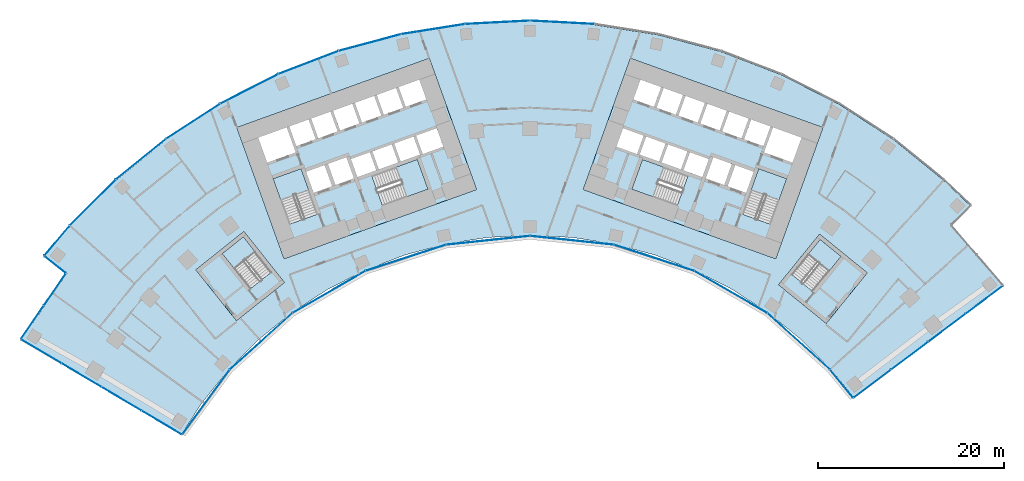
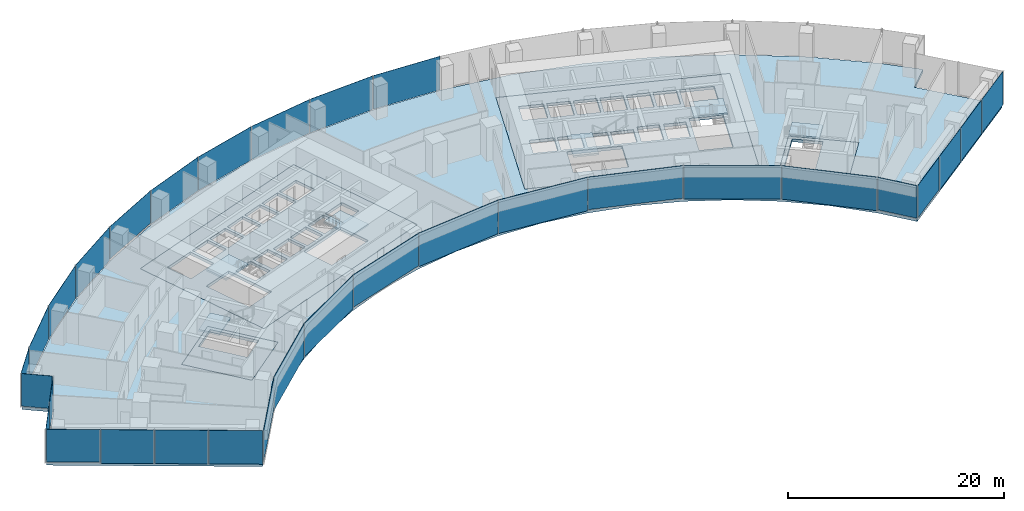
# One storey, part 12 of 21: 31 plates, 11 slabs, 12 elements without a shape of their own.
"""IFC4 building model written with IfcOpenShell, lengths in metres."""

import ifcopenshell
import ifcopenshell.guid

model = None  # the IFC model being written
_history = None  # IfcOwnerHistory: only IFC2X3 demands one
_inside = {}  # id of a spatial element -> (the spatial element, [elements in it])
_under = {}  # id of a project, library or spatial element -> (it, [spatial elements below it])
_declared = {}  # id of a project -> (the project, [libraries it declares])
_typed = {}  # id of a type object -> (the type object, [elements of that type])
_made_of = {}  # id of a material, layer set ... -> (it, [elements and type objects made of it])


def new_model(schema):
    """Start an empty IFC model of exactly this schema.

    Asked for "IFC4X3", IfcOpenShell would pick the latest addendum, in which some entities
    have other attributes; the version numbers below select the first issue.
    IFC2X3 requires an IfcOwnerHistory on every rooted entity: one is made here for all.
    """
    global model, _history
    if schema == "IFC4X3":
        model = ifcopenshell.file(schema_version=(4, 3, 0, 0))
    else:
        model = ifcopenshell.file(schema=schema)
    _inside.clear()
    _under.clear()
    _declared.clear()
    _typed.clear()
    _made_of.clear()
    _history = None
    if model.schema == "IFC2X3":
        org = make("IfcOrganization", Name="unknown")
        user = make(
            "IfcPersonAndOrganization",
            ThePerson=make("IfcPerson", FamilyName="unknown"),
            TheOrganization=org,
        )
        app = make(
            "IfcApplication",
            ApplicationDeveloper=org,
            Version="unknown",
            ApplicationFullName="unknown",
            ApplicationIdentifier="unknown",
        )
        _history = make(
            "IfcOwnerHistory",
            OwningUser=user,
            OwningApplication=app,
            ChangeAction="ADDED",
            CreationDate=0,
        )
    return model


def make(cls, **values):
    """One entity of the class cls with the attributes given. An attribute that is None is left unset."""
    return model.create_entity(
        cls, **{name: value for name, value in values.items() if value is not None}
    )


def rooted(cls, **values):
    """An entity with a GlobalId (a new one), such as an element, a storey or a relation."""
    return make(cls, GlobalId=ifcopenshell.guid.new(), OwnerHistory=_history, **values)


def si_unit(unit_type, name, prefix=None):
    """IfcSIUnit, for example si_unit("LENGTHUNIT", "METRE", prefix="MILLI")."""
    return make("IfcSIUnit", UnitType=unit_type, Prefix=prefix, Name=name)


def assignment(units):
    """IfcUnitAssignment: the units of a project."""
    return None if units is None else make("IfcUnitAssignment", Units=units)


def point(xyz):
    """IfcCartesianPoint."""
    return None if xyz is None else make("IfcCartesianPoint", Coordinates=xyz)


def direction(xyz):
    """IfcDirection."""
    return None if xyz is None else make("IfcDirection", DirectionRatios=xyz)


def frame(location, z_axis=None, x_axis=None):
    """IfcAxis2Placement3D, a coordinate frame: its origin and axes. An axis left out is left unset."""
    return make(
        "IfcAxis2Placement3D",
        Location=point(location),
        Axis=direction(z_axis),
        RefDirection=direction(x_axis),
    )


def frame_2d(location, x_axis=None):
    """IfcAxis2Placement2D, a coordinate frame in the plane: its origin and x axis."""
    return make(
        "IfcAxis2Placement2D", Location=point(location), RefDirection=direction(x_axis)
    )


def origin():
    """The frame at (0, 0, 0) with its axes left unset."""
    return frame((0.0, 0.0, 0.0))


def origin_2d():
    """The frame at (0, 0) in the plane with its x axis left unset."""
    return frame_2d((0.0, 0.0))


def place(relative_to, where):
    """IfcLocalPlacement: puts the frame where relative to a parent placement (None: the world)."""
    return make(
        "IfcLocalPlacement", PlacementRelTo=relative_to, RelativePlacement=where
    )


def context(
    kind, dimensions, precision=None, world=None, true_north=None, identifier=None
):
    """IfcGeometricRepresentationContext, for example the 3D "Model" context."""
    return make(
        "IfcGeometricRepresentationContext",
        ContextIdentifier=identifier,
        ContextType=kind,
        CoordinateSpaceDimension=dimensions,
        Precision=precision,
        WorldCoordinateSystem=world,
        TrueNorth=true_north,
    )


def subcontext(parent, identifier, kind, view, scale=None):
    """IfcGeometricRepresentationSubContext, for example "Body" below "Model"."""
    return make(
        "IfcGeometricRepresentationSubContext",
        ContextIdentifier=identifier,
        ContextType=kind,
        ParentContext=parent,
        TargetScale=scale,
        TargetView=view,
    )


def project(units=None, contexts=None):
    """IfcProject with its units and contexts."""
    return rooted(
        "IfcProject",
        Name="project",
        RepresentationContexts=contexts,
        UnitsInContext=assignment(units),
    )


def spatial(cls, under=None, at=None, **own):
    """A site, building, storey or space (cls), placed at a placement, below another one or the project."""
    s = rooted(cls, ObjectPlacement=at, **own)
    if under is not None:
        _under.setdefault(under.id(), (under, []))[1].append(s)
    return s


def polyline(points):
    """IfcPolyline through the points."""
    return make("IfcPolyline", Points=[point(p) for p in points])


def profile(cls, at=None, kind="AREA", **sizes):
    """A parametric profile (cls). Its sizes go by their IFC names, for example OverallWidth=200.0."""
    return make(cls, ProfileType=kind, Position=at, **sizes)


def rectangle(**sizes):
    """IfcRectangleProfileDef."""
    return profile("IfcRectangleProfileDef", **sizes)


def outline(outer, holes=None, kind="AREA"):
    """IfcArbitraryClosedProfileDef: a profile drawn as a closed curve; with holes, ...WithVoids."""
    if holes is None:
        return make("IfcArbitraryClosedProfileDef", ProfileType=kind, OuterCurve=outer)
    return make(
        "IfcArbitraryProfileDefWithVoids",
        ProfileType=kind,
        OuterCurve=outer,
        InnerCurves=holes,
    )


def extrude(swept, where, along, depth):
    """IfcExtrudedAreaSolid: the profile swept, set in the frame where, extruded along a direction by depth."""
    return make(
        "IfcExtrudedAreaSolid",
        SweptArea=swept,
        Position=where,
        ExtrudedDirection=direction(along),
        Depth=depth,
    )


def shape(context_of_items, identifier, shape_type, items):
    """IfcShapeRepresentation: the items that make up one representation, for example the "Body"."""
    return make(
        "IfcShapeRepresentation",
        ContextOfItems=context_of_items,
        RepresentationIdentifier=identifier,
        RepresentationType=shape_type,
        Items=items,
    )


def material(Name=None, Category=None):
    """IfcMaterial."""
    return make("IfcMaterial", Name=Name, Category=Category)


def layer(
    of_material, thickness, ventilated=None, Name=None, Category=None, Priority=None
):
    """IfcMaterialLayer: one layer of a wall or slab, of a material (None: an air gap)."""
    return make(
        "IfcMaterialLayer",
        Material=of_material,
        LayerThickness=thickness,
        IsVentilated=ventilated,
        Name=Name,
        Category=Category,
        Priority=Priority,
    )


def layer_set(layers, Name=None):
    """IfcMaterialLayerSet."""
    return make("IfcMaterialLayerSet", MaterialLayers=layers, LayerSetName=Name)


def made_of(thing, what):
    """Note that an element or type object is made of a material, layer set ...; save() writes the relation."""
    if what is not None:
        _made_of.setdefault(what.id(), (what, []))[1].append(thing)
    return thing


def type_object(cls, material=None, **own):
    """A type object (cls), such as IfcWallType, which elements share."""
    return made_of(rooted(cls, **own), material)


def element(
    cls,
    number,
    at=None,
    inside=None,
    cuts=None,
    type_object=None,
    material=None,
    context=None,
    identifier="Body",
    shape_type=None,
    held_by="IfcProductDefinitionShape",
    body=None,
    shapes=None,
    **own,
):
    """One element of the class cls, such as IfcWall. Its Tag is "e" and its number.

    at: its placement. inside: the storey or other place that contains it. cuts: it is an
    opening in that element (IfcRelVoidsElement). A single representation is given by context,
    identifier, shape_type and body (its items); several are given by shapes. held_by: the class
    of the entity that holds the representations. save() writes the other relations.
    """
    e = rooted(cls, Tag="e%d" % number, ObjectPlacement=at, **own)
    if body is not None:
        shapes = [shape(context, identifier, shape_type, body)]
    if shapes is not None:
        e.Representation = make(held_by, Representations=shapes)
    if inside is not None:
        _inside.setdefault(inside.id(), (inside, []))[1].append(e)
    if cuts is not None:
        rooted(
            "IfcRelVoidsElement", RelatingBuildingElement=cuts, RelatedOpeningElement=e
        )
    if type_object is not None:
        _typed.setdefault(type_object.id(), (type_object, []))[1].append(e)
    return made_of(e, material)


def aggregate(whole, parts):
    """IfcRelAggregates: a whole, such as a stair, and the parts it consists of."""
    return rooted("IfcRelAggregates", RelatingObject=whole, RelatedObjects=parts)


def save(model, path):
    """Write the relations noted so far, then the file.

    IfcRelAggregates (storeys below a building ...), IfcRelContainedInSpatialStructure (elements
    in a storey), IfcRelDefinesByType, IfcRelAssociatesMaterial and IfcRelDeclares: one each for
    every whole, place, type object, material and project.
    """
    for whole, parts in _under.values():
        aggregate(whole, parts)
    for where, things in _inside.values():
        rooted(
            "IfcRelContainedInSpatialStructure",
            RelatedElements=things,
            RelatingStructure=where,
        )
    for kind, things in _typed.values():
        rooted("IfcRelDefinesByType", RelatedObjects=things, RelatingType=kind)
    for what, things in _made_of.values():
        rooted("IfcRelAssociatesMaterial", RelatedObjects=things, RelatingMaterial=what)
    for by, libraries in _declared.values():
        rooted("IfcRelDeclares", RelatingContext=by, RelatedDefinitions=libraries)
    model.write(path)


model = new_model("IFC4")

# Units and contexts
model_context = context("Model", 3, precision=1e-05, world=origin(), true_north=direction((0.0, 1.0)))
body_context = subcontext(model_context, "Body", "Model", "MODEL_VIEW")
ifc_project = project(units=[si_unit("LENGTHUNIT", "METRE"), si_unit("AREAUNIT", "SQUARE_METRE"), si_unit("VOLUMEUNIT", "CUBIC_METRE"), si_unit("PLANEANGLEUNIT", "RADIAN"), si_unit("MASSUNIT", "GRAM", prefix="KILO")], contexts=[model_context])

# Site, building, storey
site_placement = place(None, origin())
site = spatial("IfcSite", under=ifc_project, at=site_placement, CompositionType="ELEMENT")
building_placement = place(site_placement, origin())
building = spatial("IfcBuilding", under=site, at=building_placement, Name="Stone Belt Terrace Tower", CompositionType="ELEMENT")
storey_placement = place(building_placement, frame((0.0, 0.0, 71.800048828125)))
storey = spatial("IfcBuildingStorey", under=building, at=storey_placement, Name="L17", CompositionType="ELEMENT", Elevation=71.800048828125)

# Curtain wall, plates
ifc_material_1 = material(Name="Aluminium 6063-T6 anodised frame", Category="aluminium")
ifc_layer_1 = layer(ifc_material_1, 0.14990234375)
ifc_layer_set_1 = layer_set([ifc_layer_1], Name="CW-A unitised convex-face curtain wall")
curtain_wall_type_1 = type_object("IfcCurtainWallType", Name="CW-A unitised convex-face curtain wall", PredefinedType="NOTDEFINED", material=ifc_layer_set_1)
curtain_wall_1_placement = place(storey_placement, origin())
curtain_wall_1 = element("IfcCurtainWall", 1, at=curtain_wall_1_placement, inside=storey, type_object=curtain_wall_type_1, Name="CW-A convex face L17", PredefinedType="NOTDEFINED")
ifc_material_2 = material(Name="Clear double glazed unit")
ifc_layer_2 = layer(ifc_material_2, 0.031982421875)
ifc_layer_set_2 = layer_set([ifc_layer_2], Name="CW-A glass panel 32")
plate_type_1 = type_object("IfcPlateType", Name="CW-A glass panel 32", PredefinedType="CURTAIN_PANEL", material=ifc_layer_set_2)
plate_1_placement = place(storey_placement, frame((3.4794921875, 66.392822265625, 0.0), z_axis=(0.0, 0.0, 1.0), x_axis=(-0.998629534755, 0.052335956243, 0.0)))
plate_1 = element("IfcPlate", 2, at=plate_1_placement, type_object=plate_type_1, Name="CW-A panel 8.1", PredefinedType="CURTAIN_PANEL", context=body_context, shape_type="SweptSolid", body=[
    extrude(rectangle(XDim=6.90087890625, YDim=0.031982421875, at=origin_2d()), origin(), (0.0, 0.0, 1.0), 3.800048828125),
])
plate_2_placement = place(storey_placement, frame((-3.4794921875, 66.392822265625, 0.0), z_axis=(0.0, 0.0, 1.0), x_axis=(-0.998629534755, -0.052335956243, 0.0)))
plate_2 = element("IfcPlate", 3, at=plate_2_placement, type_object=plate_type_1, Name="CW-A panel 9.1", PredefinedType="CURTAIN_PANEL", context=body_context, shape_type="SweptSolid", body=[
    extrude(rectangle(XDim=6.90087890625, YDim=0.031982421875, at=origin_2d()), origin(), (0.0, 0.0, 1.0), 3.800048828125),
])
plate_3_placement = place(storey_placement, frame((-10.400390625, 65.665283203125, 0.0), z_axis=(0.0, 0.0, 1.0), x_axis=(-0.987688340595, -0.15643446504, 0.0)))
plate_3 = element("IfcPlate", 4, at=plate_3_placement, type_object=plate_type_1, Name="CW-A panel 10.1", PredefinedType="CURTAIN_PANEL", context=body_context, shape_type="SweptSolid", body=[
    extrude(rectangle(XDim=6.90087890625, YDim=0.031982421875, at=origin_2d()), origin(), (0.0, 0.0, 1.0), 3.800048828125),
])
plate_4_placement = place(storey_placement, frame((-17.207275390625, 64.218505859375, 0.0), z_axis=(0.0, 0.0, 1.0), x_axis=(-0.965925826289, -0.258819045103, 0.0)))
plate_4 = element("IfcPlate", 5, at=plate_4_placement, type_object=plate_type_1, Name="CW-A panel 11.1", PredefinedType="CURTAIN_PANEL", context=body_context, shape_type="SweptSolid", body=[
    extrude(rectangle(XDim=6.90087890625, YDim=0.031982421875, at=origin_2d()), origin(), (0.0, 0.0, 1.0), 3.800048828125),
])
plate_5_placement = place(storey_placement, frame((-23.82568359375, 62.068115234375, 0.0), z_axis=(0.0, 0.0, 1.0), x_axis=(-0.933580426497, -0.358367949545, 0.0)))
plate_5 = element("IfcPlate", 6, at=plate_5_placement, type_object=plate_type_1, Name="CW-A panel 12.1", PredefinedType="CURTAIN_PANEL", context=body_context, shape_type="SweptSolid", body=[
    extrude(rectangle(XDim=6.90087890625, YDim=0.031982421875, at=origin_2d()), origin(), (0.0, 0.0, 1.0), 3.800048828125),
])
plate_6_placement = place(storey_placement, frame((-30.18310546875, 59.237548828125, 0.14013671875), z_axis=(0.0, 0.0, 1.0), x_axis=(-0.891006524188, -0.45399049974, 0.0)))
plate_6 = element("IfcPlate", 7, at=plate_6_placement, type_object=plate_type_1, Name="CW-A panel 13.1", PredefinedType="CURTAIN_PANEL", context=body_context, shape_type="SweptSolid", body=[
    extrude(rectangle(XDim=6.90087890625, YDim=0.031982421875, at=origin_2d()), origin(), (0.0, 0.0, 1.0), 3.659912109375),
])
plate_7_placement = place(storey_placement, frame((-36.209716796875, 55.758056640625, 0.0), z_axis=(0.0, 0.0, 1.0), x_axis=(-0.838670567945, -0.544639035015, 0.0)))
plate_7 = element("IfcPlate", 8, at=plate_7_placement, type_object=plate_type_1, Name="CW-A panel 14.1", PredefinedType="CURTAIN_PANEL", context=body_context, shape_type="SweptSolid", body=[
    extrude(rectangle(XDim=6.90087890625, YDim=0.031982421875, at=origin_2d()), origin(), (0.0, 0.0, 1.0), 3.800048828125),
])
plate_8_placement = place(storey_placement, frame((-41.839599609375, 51.667724609375, 0.0), z_axis=(0.0, 0.0, 1.0), x_axis=(-0.777145961457, -0.62932039105, 0.0)))
plate_8 = element("IfcPlate", 9, at=plate_8_placement, type_object=plate_type_1, Name="CW-A panel 15.1", PredefinedType="CURTAIN_PANEL", context=body_context, shape_type="SweptSolid", body=[
    extrude(rectangle(XDim=6.90087890625, YDim=0.031982421875, at=origin_2d()), origin(), (0.0, 0.0, 1.0), 3.800048828125),
])
plate_9_placement = place(storey_placement, frame((-47.01123046875, 47.01123046875, 0.0), z_axis=(0.0, 0.0, 1.0), x_axis=(-0.707106781187, -0.707106781187, 0.0)))
plate_9 = element("IfcPlate", 10, at=plate_9_placement, type_object=plate_type_1, Name="CW-A panel 16.1", PredefinedType="CURTAIN_PANEL", context=body_context, shape_type="SweptSolid", body=[
    extrude(rectangle(XDim=6.90087890625, YDim=0.031982421875, at=origin_2d()), origin(), (0.0, 0.0, 1.0), 3.800048828125),
])
plate_10_placement = place(storey_placement, frame((-50.84423828125, 42.92626953125, 0.0), z_axis=(0.0, 0.0, 1.0), x_axis=(-0.645291395384, -0.763936525533, 0.0)))
plate_10 = element("IfcPlate", 11, at=plate_10_placement, type_object=plate_type_1, Name="CW-A panel 17.1", PredefinedType="CURTAIN_PANEL", context=body_context, shape_type="SweptSolid", body=[
    extrude(rectangle(XDim=4.17919921875, YDim=0.031982421875, at=origin_2d()), origin(), (0.0, 0.0, 1.0), 3.800048828125),
])
aggregate(curtain_wall_1, [plate_1, plate_2, plate_3, plate_4, plate_5, plate_6, plate_7, plate_8, plate_9, plate_10])

ifc_layer_3 = layer(ifc_material_1, 0.14990234375)
ifc_layer_set_3 = layer_set([ifc_layer_3], Name="CW-B unitised concave-face curtain wall")
curtain_wall_type_2 = type_object("IfcCurtainWallType", Name="CW-B unitised concave-face curtain wall", PredefinedType="NOTDEFINED", material=ifc_layer_set_3)
curtain_wall_2_placement = place(storey_placement, origin())
curtain_wall_2 = element("IfcCurtainWall", 12, at=curtain_wall_2_placement, inside=storey, type_object=curtain_wall_type_2, Name="CW-B concave face L17", PredefinedType="NOTDEFINED")
ifc_layer_4 = layer(ifc_material_2, 0.030029296875)
ifc_layer_set_4 = layer_set([ifc_layer_4], Name="CW-B glass panel 30")
plate_type_2 = type_object("IfcPlateType", Name="CW-B glass panel 30", PredefinedType="CURTAIN_PANEL", material=ifc_layer_set_4)
plate_11_placement = place(storey_placement, frame((-34.831787109375, 25.57177734375, 0.1201171875), z_axis=(0.0, 0.0, 1.0), x_axis=(0.592159017675, 0.805821132626, 0.0)))
plate_11 = element("IfcPlate", 13, at=plate_11_placement, type_object=plate_type_2, Name="CW-B panel 1.1", PredefinedType="CURTAIN_PANEL", context=body_context, shape_type="SweptSolid", body=[
    extrude(rectangle(XDim=8.583984375, YDim=0.030029296875, at=origin_2d()), origin(), (0.0, 0.0, 1.0), 3.679931640625),
])
plate_12_placement = place(storey_placement, frame((-28.897705078125, 32.09375, 0.0), z_axis=(0.0, 0.0, 1.0), x_axis=(0.743144825477, 0.669130606359, 0.0)))
plate_12 = element("IfcPlate", 14, at=plate_12_placement, type_object=plate_type_2, Name="CW-B panel 2.1", PredefinedType="CURTAIN_PANEL", context=body_context, shape_type="SweptSolid", body=[
    extrude(rectangle(XDim=9.01318359375, YDim=0.030029296875, at=origin_2d()), origin(), (0.0, 0.0, 1.0), 3.800048828125),
])
plate_13_placement = place(storey_placement, frame((-21.59326171875, 37.40087890625, 0.0), z_axis=(0.0, 0.0, 1.0), x_axis=(0.866025403784, 0.5, 0.0)))
plate_13 = element("IfcPlate", 15, at=plate_13_placement, type_object=plate_type_2, Name="CW-B panel 3.1", PredefinedType="CURTAIN_PANEL", context=body_context, shape_type="SweptSolid", body=[
    extrude(rectangle(XDim=9.0126953125, YDim=0.030029296875, at=origin_2d()), origin(), (0.0, 0.0, 1.0), 3.800048828125),
])
plate_14_placement = place(storey_placement, frame((-13.345458984375, 41.072998046875, 0.1201171875), z_axis=(0.0, 0.0, 1.0), x_axis=(0.951056516295, 0.309016994375, 0.0)))
plate_14 = element("IfcPlate", 16, at=plate_14_placement, type_object=plate_type_2, Name="CW-B panel 4.1", PredefinedType="CURTAIN_PANEL", context=body_context, shape_type="SweptSolid", body=[
    extrude(rectangle(XDim=9.0126953125, YDim=0.030029296875, at=origin_2d()), origin(), (0.0, 0.0, 1.0), 3.679931640625),
])
plate_15_placement = place(storey_placement, frame((-4.51416015625, 42.9501953125, 0.0), z_axis=(0.0, 0.0, 1.0), x_axis=(0.994521895368, 0.104528463268, 0.0)))
plate_15 = element("IfcPlate", 17, at=plate_15_placement, type_object=plate_type_2, Name="CW-B panel 5.1", PredefinedType="CURTAIN_PANEL", context=body_context, shape_type="SweptSolid", body=[
    extrude(rectangle(XDim=9.0126953125, YDim=0.030029296875, at=origin_2d()), origin(), (0.0, 0.0, 1.0), 3.800048828125),
])
plate_16_placement = place(storey_placement, frame((4.51416015625, 42.9501953125, 0.0), z_axis=(0.0, 0.0, 1.0), x_axis=(0.994521895368, -0.104528463268, 0.0)))
plate_16 = element("IfcPlate", 18, at=plate_16_placement, type_object=plate_type_2, Name="CW-B panel 6.1", PredefinedType="CURTAIN_PANEL", context=body_context, shape_type="SweptSolid", body=[
    extrude(rectangle(XDim=9.0126953125, YDim=0.030029296875, at=origin_2d()), origin(), (0.0, 0.0, 1.0), 3.800048828125),
])
plate_17_placement = place(storey_placement, frame((13.345458984375, 41.072998046875, 0.1201171875), z_axis=(0.0, 0.0, 1.0), x_axis=(0.951056516295, -0.309016994375, 0.0)))
plate_17 = element("IfcPlate", 19, at=plate_17_placement, type_object=plate_type_2, Name="CW-B panel 7.1", PredefinedType="CURTAIN_PANEL", context=body_context, shape_type="SweptSolid", body=[
    extrude(rectangle(XDim=9.0126953125, YDim=0.030029296875, at=origin_2d()), origin(), (0.0, 0.0, 1.0), 3.679931640625),
])
plate_18_placement = place(storey_placement, frame((21.59326171875, 37.40087890625, 0.0), z_axis=(0.0, 0.0, 1.0), x_axis=(0.866025403784, -0.5, 0.0)))
plate_18 = element("IfcPlate", 20, at=plate_18_placement, type_object=plate_type_2, Name="CW-B panel 8.1", PredefinedType="CURTAIN_PANEL", context=body_context, shape_type="SweptSolid", body=[
    extrude(rectangle(XDim=9.0126953125, YDim=0.030029296875, at=origin_2d()), origin(), (0.0, 0.0, 1.0), 3.800048828125),
])
plate_19_placement = place(storey_placement, frame((28.899169921875, 32.092529296875, 0.0), z_axis=(0.0, 0.0, 1.0), x_axis=(0.743144825477, -0.669130606359, 0.0)))
plate_19 = element("IfcPlate", 21, at=plate_19_placement, type_object=plate_type_2, Name="CW-B panel 9.1", PredefinedType="CURTAIN_PANEL", context=body_context, shape_type="SweptSolid", body=[
    extrude(rectangle(XDim=9.017333984375, YDim=0.030029296875, at=origin_2d()), origin(), (0.0, 0.0, 1.0), 3.800048828125),
])
plate_20_placement = place(storey_placement, frame((33.517333984375, 27.541748046875, 0.1201171875), z_axis=(0.0, 0.0, 1.0), x_axis=(0.635210426236, -0.772339118782, 0.0)))
plate_20 = element("IfcPlate", 22, at=plate_20_placement, type_object=plate_type_2, Name="CW-B panel 10.1", PredefinedType="CURTAIN_PANEL", context=body_context, shape_type="SweptSolid", body=[
    extrude(rectangle(XDim=3.858154296875, YDim=0.030029296875, at=origin_2d()), origin(), (0.0, 0.0, 1.0), 3.679931640625),
])
aggregate(curtain_wall_2, [plate_11, plate_12, plate_13, plate_14, plate_15, plate_16, plate_17, plate_18, plate_19, plate_20])

ifc_layer_5 = layer(ifc_material_1, 0.14990234375)
ifc_layer_set_5 = layer_set([ifc_layer_5], Name="CW-C stick curtain wall, horn ends and notches")
curtain_wall_type_3 = type_object("IfcCurtainWallType", Name="CW-C stick curtain wall, horn ends and notches", PredefinedType="NOTDEFINED", material=ifc_layer_set_5)
curtain_wall_3_placement = place(storey_placement, origin())
curtain_wall_3 = element("IfcCurtainWall", 23, at=curtain_wall_3_placement, inside=storey, type_object=curtain_wall_type_3, Name="CW-C end face L17", PredefinedType="NOTDEFINED")
ifc_layer_6 = layer(ifc_material_2, 0.028076171875)
ifc_layer_set_6 = layer_set([ifc_layer_6], Name="CW-C glass panel 28")
plate_type_3 = type_object("IfcPlateType", Name="CW-C glass panel 28", PredefinedType="CURTAIN_PANEL", material=ifc_layer_set_6)
plate_21_placement = place(storey_placement, frame((36.8330078125, 27.532470703125, 0.1201171875), z_axis=(0.0, 0.0, 1.0), x_axis=(0.799986505357, 0.600017992436, 0.0)))
plate_21 = element("IfcPlate", 24, at=plate_21_placement, type_object=plate_type_3, Name="CW-C panel 1.1", PredefinedType="CURTAIN_PANEL", context=body_context, shape_type="SweptSolid", body=[
    extrude(rectangle(XDim=4.96826171875, YDim=0.028076171875, at=origin_2d()), origin(), (0.0, 0.0, 1.0), 3.679931640625),
])
plate_22_placement = place(storey_placement, frame((40.84423828125, 30.541015625, 0.0), z_axis=(0.0, 0.0, 1.0), x_axis=(0.799986505357, 0.600017992436, 0.0)))
plate_22 = element("IfcPlate", 25, at=plate_22_placement, type_object=plate_type_3, Name="CW-C panel 2.1", PredefinedType="CURTAIN_PANEL", context=body_context, shape_type="SweptSolid", body=[
    extrude(rectangle(XDim=4.93994140625, YDim=0.028076171875, at=origin_2d()), origin(), (0.0, 0.0, 1.0), 3.800048828125),
])
plate_23_placement = place(storey_placement, frame((44.84423828125, 33.541015625, 0.0), z_axis=(0.0, 0.0, 1.0), x_axis=(0.799986505357, 0.600017992436, 0.0)))
plate_23 = element("IfcPlate", 26, at=plate_23_placement, type_object=plate_type_3, Name="CW-C panel 3.1", PredefinedType="CURTAIN_PANEL", context=body_context, shape_type="SweptSolid", body=[
    extrude(rectangle(XDim=4.93994140625, YDim=0.028076171875, at=origin_2d()), origin(), (0.0, 0.0, 1.0), 3.800048828125),
])
plate_24_placement = place(storey_placement, frame((48.858154296875, 36.551513671875, 0.0), z_axis=(0.0, 0.0, 1.0), x_axis=(0.799986505357, 0.600017992436, 0.0)))
plate_24 = element("IfcPlate", 27, at=plate_24_placement, type_object=plate_type_3, Name="CW-C panel 4.1", PredefinedType="CURTAIN_PANEL", context=body_context, shape_type="SweptSolid", body=[
    extrude(rectangle(XDim=4.974853515625, YDim=0.028076171875, at=origin_2d()), origin(), (0.0, 0.0, 1.0), 3.800048828125),
])
aggregate(curtain_wall_3, [plate_21, plate_22, plate_23, plate_24])

# Curtain wall, plate
curtain_wall_4_placement = place(storey_placement, origin())
curtain_wall_4 = element("IfcCurtainWall", 28, at=curtain_wall_4_placement, inside=storey, type_object=curtain_wall_type_3, Name="CW-C notch face L17", PredefinedType="NOTDEFINED")
plate_25_placement = place(storey_placement, frame((-51.061279296875, 40.3388671875, 0.1201171875), z_axis=(0.0, 0.0, 1.0), x_axis=(0.783963828584, -0.620806504051, 0.0)))
plate_25 = element("IfcPlate", 29, at=plate_25_placement, type_object=plate_type_3, Name="CW-C panel 1.1", PredefinedType="CURTAIN_PANEL", context=body_context, shape_type="SweptSolid", body=[
    extrude(rectangle(XDim=2.859375, YDim=0.028076171875, at=origin_2d()), origin(), (0.0, 0.0, 1.0), 3.679931640625),
])
aggregate(curtain_wall_4, [plate_25])

# Curtain wall, plates
curtain_wall_5_placement = place(storey_placement, origin())
curtain_wall_5 = element("IfcCurtainWall", 30, at=curtain_wall_5_placement, inside=storey, type_object=curtain_wall_type_3, Name="CW-C notch face L17", PredefinedType="NOTDEFINED")
plate_26_placement = place(storey_placement, frame((-51.091552734375, 37.647705078125, 0.1201171875), z_axis=(0.0, 0.0, 1.0), x_axis=(-0.566375967567, -0.824146991357, 0.0)))
plate_26 = element("IfcPlate", 31, at=plate_26_placement, type_object=plate_type_3, Name="CW-C panel 1.1", PredefinedType="CURTAIN_PANEL", context=body_context, shape_type="SweptSolid", body=[
    extrude(rectangle(XDim=4.12060546875, YDim=0.028076171875, at=origin_2d()), origin(), (0.0, 0.0, 1.0), 3.679931640625),
])
plate_27_placement = place(storey_placement, frame((-53.501220703125, 34.141357421875, 0.0), z_axis=(0.0, 0.0, 1.0), x_axis=(-0.566375967567, -0.824146991357, 0.0)))
plate_27 = element("IfcPlate", 32, at=plate_27_placement, type_object=plate_type_3, Name="CW-C panel 2.1", PredefinedType="CURTAIN_PANEL", context=body_context, shape_type="SweptSolid", body=[
    extrude(rectangle(XDim=4.268798828125, YDim=0.028076171875, at=origin_2d()), origin(), (0.0, 0.0, 1.0), 3.800048828125),
])
aggregate(curtain_wall_5, [plate_26, plate_27])

curtain_wall_6_placement = place(storey_placement, origin())
curtain_wall_6 = element("IfcCurtainWall", 33, at=curtain_wall_6_placement, inside=storey, type_object=curtain_wall_type_3, Name="CW-C end face L17", PredefinedType="NOTDEFINED")
plate_28_placement = place(storey_placement, frame((-52.54736328125, 31.014892578125, 0.1201171875), z_axis=(0.0, 0.0, 1.0), x_axis=(0.860557728521, -0.509352918793, 0.0)))
plate_28 = element("IfcPlate", 34, at=plate_28_placement, type_object=plate_type_3, Name="CW-C panel 1.1", PredefinedType="CURTAIN_PANEL", context=body_context, shape_type="SweptSolid", body=[
    extrude(rectangle(XDim=4.974853515625, YDim=0.028076171875, at=origin_2d()), origin(), (0.0, 0.0, 1.0), 3.679931640625),
])
plate_29_placement = place(storey_placement, frame((-48.2294921875, 28.459228515625, 0.0), z_axis=(0.0, 0.0, 1.0), x_axis=(0.860557728521, -0.509352918793, 0.0)))
plate_29 = element("IfcPlate", 35, at=plate_29_placement, type_object=plate_type_3, Name="CW-C panel 2.1", PredefinedType="CURTAIN_PANEL", context=body_context, shape_type="SweptSolid", body=[
    extrude(rectangle(XDim=4.93994140625, YDim=0.028076171875, at=origin_2d()), origin(), (0.0, 0.0, 1.0), 3.800048828125),
])
plate_30_placement = place(storey_placement, frame((-43.9267578125, 25.912353515625, 0.0), z_axis=(0.0, 0.0, 1.0), x_axis=(0.860557728521, -0.509352918793, 0.0)))
plate_30 = element("IfcPlate", 36, at=plate_30_placement, type_object=plate_type_3, Name="CW-C panel 3.1", PredefinedType="CURTAIN_PANEL", context=body_context, shape_type="SweptSolid", body=[
    extrude(rectangle(XDim=4.93994140625, YDim=0.028076171875, at=origin_2d()), origin(), (0.0, 0.0, 1.0), 3.800048828125),
])
plate_31_placement = place(storey_placement, frame((-39.613037109375, 23.359130859375, 0.0), z_axis=(0.0, 0.0, 1.0), x_axis=(0.860557728521, -0.509352918793, 0.0)))
plate_31 = element("IfcPlate", 37, at=plate_31_placement, type_object=plate_type_3, Name="CW-C panel 4.1", PredefinedType="CURTAIN_PANEL", context=body_context, shape_type="SweptSolid", body=[
    extrude(rectangle(XDim=4.96533203125, YDim=0.028076171875, at=origin_2d()), origin(), (0.0, 0.0, 1.0), 3.800048828125),
])
aggregate(curtain_wall_6, [plate_28, plate_29, plate_30, plate_31])

# Slabs
ifc_material_3 = material(Name="Concrete B40", Category="concrete")
ifc_layer_7 = layer(ifc_material_3, 0.320068359375)
ifc_layer_set_7 = layer_set([ifc_layer_7], Name="Core floor slab 320")
slab_type_1 = type_object("IfcSlabType", Name="Core floor slab 320", PredefinedType="FLOOR", material=ifc_layer_set_7)
slab_1_placement = place(storey_placement, frame((0.0, 0.0, -0.320068359375)))
element("IfcSlab", 38, at=slab_1_placement, inside=storey, type_object=slab_type_1, Name="Core A floor L17", PredefinedType="FLOOR", context=body_context, shape_type="SweptSolid", body=[
    extrude(outline(polyline([(-26.43505859375, 40.968994140625), (-5.735107421875, 48.4189453125), (-10.81396484375, 62.531982421875), (-31.513916015625, 55.0830078125), (-26.43505859375, 40.968994140625)]), holes=[polyline([(-24.60791015625, 50.659912109375), (-22.847900390625, 45.76806640625), (-25.85888671875, 44.68408203125), (-27.618896484375, 49.575927734375), (-24.60791015625, 50.659912109375)]), polyline([(-21.27392578125, 48.778076171875), (-23.25, 48.06689453125), (-24.06298828125, 50.324951171875), (-22.0869140625, 51.035888671875), (-21.27392578125, 48.778076171875)]), polyline([(-18.922119140625, 49.6240234375), (-20.89794921875, 48.9130859375), (-21.7109375, 51.1708984375), (-19.735107421875, 51.883056640625), (-18.922119140625, 49.6240234375)]), polyline([(-19.239990234375, 51.68896484375), (-17.217041015625, 52.4169921875), (-16.52294921875, 50.488037109375), (-18.5458984375, 49.760009765625), (-19.239990234375, 51.68896484375)]), polyline([(-29.2109375, 53.9990234375), (-26.153076171875, 55.09912109375), (-25.18798828125, 52.41796875), (-28.24609375, 51.31689453125), (-29.2109375, 53.9990234375)]), polyline([(-23.801025390625, 55.946044921875), (-23.0390625, 53.8291015625), (-25.10888671875, 53.083984375), (-25.87109375, 55.200927734375), (-23.801025390625, 55.946044921875)]), polyline([(-21.447998046875, 56.7919921875), (-20.68603515625, 54.675048828125), (-22.756103515625, 53.929931640625), (-23.51806640625, 56.047119140625), (-21.447998046875, 56.7919921875)]), polyline([(-19.095947265625, 57.638916015625), (-18.333984375, 55.52197265625), (-20.404052734375, 54.777099609375), (-21.166015625, 56.89404296875), (-19.095947265625, 57.638916015625)]), polyline([(-15.846923828125, 46.69189453125), (-16.998046875, 49.89208984375), (-12.10595703125, 51.652099609375), (-10.955078125, 48.452880859375), (-15.846923828125, 46.69189453125)]), polyline([(-16.239990234375, 50.589111328125), (-16.93408203125, 52.51806640625), (-14.864013671875, 53.262939453125), (-14.169921875, 51.333984375), (-16.239990234375, 50.589111328125)]), polyline([(-11.801025390625, 52.134033203125), (-11.847900390625, 52.116943359375), (-11.864990234375, 52.1640625), (-13.887939453125, 51.43603515625), (-14.58203125, 53.364990234375), (-12.511962890625, 54.110107421875), (-11.801025390625, 52.134033203125)]), polyline([(-9.30810546875, 53.031005859375), (-11.51904296875, 52.235107421875), (-12.22998046875, 54.2109375), (-10.01904296875, 55.007080078125), (-9.30810546875, 53.031005859375)]), polyline([(-16.743896484375, 58.485107421875), (-15.98193359375, 56.367919921875), (-18.052001953125, 55.623046875), (-18.81396484375, 57.739990234375), (-16.743896484375, 58.485107421875)]), polyline([(-14.39111328125, 59.33203125), (-13.6298828125, 57.215087890625), (-15.699951171875, 56.469970703125), (-16.4609375, 58.5869140625), (-14.39111328125, 59.33203125)]), polyline([(-11.89794921875, 60.22900390625), (-11.135986328125, 58.112060546875), (-13.346923828125, 57.31591796875), (-14.10888671875, 59.43408203125), (-11.89794921875, 60.22900390625)])]), origin(), (0.0, 0.0, 1.0), 0.320068359375),
])
slab_2_placement = place(storey_placement, frame((0.0, 0.0, -0.320068359375)))
element("IfcSlab", 39, at=slab_2_placement, inside=storey, type_object=slab_type_1, Name="Core B floor L17", PredefinedType="FLOOR", context=body_context, shape_type="SweptSolid", body=[
    extrude(outline(polyline([(26.43505859375, 40.968994140625), (31.513916015625, 55.0830078125), (10.81396484375, 62.531982421875), (5.735107421875, 48.4189453125), (26.43505859375, 40.968994140625)]), holes=[polyline([(12.10595703125, 51.652099609375), (16.998046875, 49.89208984375), (15.846923828125, 46.69189453125), (10.955078125, 48.452880859375), (12.10595703125, 51.652099609375)]), polyline([(19.239990234375, 51.68896484375), (18.5458984375, 49.760009765625), (16.52294921875, 50.488037109375), (17.217041015625, 52.4169921875), (19.239990234375, 51.68896484375)]), polyline([(16.239990234375, 50.589111328125), (14.169921875, 51.333984375), (14.864013671875, 53.262939453125), (16.93408203125, 52.51806640625), (16.239990234375, 50.589111328125)]), polyline([(14.58203125, 53.364990234375), (13.887939453125, 51.43603515625), (11.864990234375, 52.1640625), (11.847900390625, 52.116943359375), (11.801025390625, 52.134033203125), (12.511962890625, 54.110107421875), (14.58203125, 53.364990234375)]), polyline([(9.30810546875, 53.031005859375), (10.01904296875, 55.007080078125), (12.22998046875, 54.2109375), (11.51904296875, 52.235107421875), (9.30810546875, 53.031005859375)]), polyline([(16.743896484375, 58.485107421875), (18.81396484375, 57.739990234375), (18.052001953125, 55.623046875), (15.98193359375, 56.367919921875), (16.743896484375, 58.485107421875)]), polyline([(14.39111328125, 59.33203125), (16.4609375, 58.5869140625), (15.699951171875, 56.469970703125), (13.6298828125, 57.215087890625), (14.39111328125, 59.33203125)]), polyline([(11.89794921875, 60.22900390625), (14.10888671875, 59.43408203125), (13.346923828125, 57.31591796875), (11.135986328125, 58.112060546875), (11.89794921875, 60.22900390625)]), polyline([(25.85888671875, 44.68408203125), (22.847900390625, 45.76806640625), (24.60791015625, 50.659912109375), (27.618896484375, 49.575927734375), (25.85888671875, 44.68408203125)]), polyline([(21.27392578125, 48.778076171875), (22.0869140625, 51.035888671875), (24.06298828125, 50.324951171875), (23.25, 48.06689453125), (21.27392578125, 48.778076171875)]), polyline([(18.922119140625, 49.6240234375), (19.735107421875, 51.883056640625), (21.7109375, 51.1708984375), (20.89794921875, 48.9130859375), (18.922119140625, 49.6240234375)]), polyline([(29.2109375, 53.9990234375), (28.24609375, 51.31689453125), (25.18798828125, 52.41796875), (26.153076171875, 55.09912109375), (29.2109375, 53.9990234375)]), polyline([(23.801025390625, 55.946044921875), (25.87109375, 55.200927734375), (25.10888671875, 53.083984375), (23.0390625, 53.8291015625), (23.801025390625, 55.946044921875)]), polyline([(21.447998046875, 56.7919921875), (23.51806640625, 56.047119140625), (22.756103515625, 53.929931640625), (20.68603515625, 54.675048828125), (21.447998046875, 56.7919921875)]), polyline([(19.095947265625, 57.638916015625), (21.166015625, 56.89404296875), (20.404052734375, 54.777099609375), (18.333984375, 55.52197265625), (19.095947265625, 57.638916015625)])]), origin(), (0.0, 0.0, 1.0), 0.320068359375),
])
slab_3_placement = place(storey_placement, frame((0.0, 0.0, -0.320068359375)))
element("IfcSlab", 40, at=slab_3_placement, inside=storey, type_object=slab_type_1, Name="Exit stair ST3A floor L17", PredefinedType="FLOOR", context=body_context, shape_type="SweptSolid", body=[
    extrude(outline(polyline([(-26.39404296875, 38.425048828125), (-30.756103515625, 43.89990234375), (-35.91796875, 39.787109375), (-31.555908203125, 34.31298828125), (-26.39404296875, 38.425048828125)]), holes=[polyline([(-27.798095703125, 39.544921875), (-30.06591796875, 37.738037109375), (-33.087890625, 41.531005859375), (-30.820068359375, 43.337890625), (-27.798095703125, 39.544921875)])]), origin(), (0.0, 0.0, 1.0), 0.320068359375),
])
slab_4_placement = place(storey_placement, frame((0.0, 0.0, -0.320068359375)))
element("IfcSlab", 41, at=slab_4_placement, inside=storey, type_object=slab_type_1, Name="Exit stair ST3B floor L17", PredefinedType="FLOOR", context=body_context, shape_type="SweptSolid", body=[
    extrude(outline(polyline([(26.741943359375, 38.18408203125), (31.866943359375, 34.02392578125), (36.278076171875, 39.458984375), (31.154052734375, 43.618896484375), (26.741943359375, 38.18408203125)]), holes=[polyline([(30.407958984375, 37.462890625), (28.156005859375, 39.291015625), (31.2119140625, 43.055908203125), (33.464111328125, 41.22802734375), (30.407958984375, 37.462890625)])]), origin(), (0.0, 0.0, 1.0), 0.320068359375),
])
ifc_layer_8 = layer(ifc_material_3, 0.320068359375)
ifc_layer_set_8 = layer_set([ifc_layer_8], Name="Floor slab 320 B40")
slab_type_2 = type_object("IfcSlabType", Name="Floor slab 320 B40", PredefinedType="FLOOR", material=ifc_layer_set_8)
slab_5_placement = place(storey_placement, frame((0.0, 0.0, -0.320068359375)))
element("IfcSlab", 42, at=slab_5_placement, inside=storey, type_object=slab_type_2, Name="Floor slab L17", PredefinedType="FLOOR", context=body_context, shape_type="SweptSolid", body=[
    extrude(outline(polyline([(-49.419189453125, 44.497314453125), (-44.497314453125, 49.419189453125), (-39.087646484375, 53.799560546875), (-33.25, 57.5908203125), (-27.048095703125, 60.750732421875), (-20.549560546875, 63.245361328125), (-13.826171875, 65.046875), (-6.951171875, 66.1357421875), (0.0, 66.5), (6.951171875, 66.1357421875), (13.826171875, 65.046875), (20.549560546875, 63.245361328125), (27.048095703125, 60.750732421875), (33.25, 57.5908203125), (39.087646484375, 53.799560546875), (44.497314453125, 49.419189453125), (47.328857421875, 46.714111328125), (45.19384765625, 44.606689453125), (50.799072265625, 38.10107421875), (34.79931640625, 26.100830078125), (32.326904296875, 29.107177734375), (29.107177734375, 32.326904296875), (25.568603515625, 35.192138671875), (21.75, 37.672119140625), (17.693115234375, 39.7392578125), (13.442138671875, 41.37109375), (9.044189453125, 42.54931640625), (4.547119140625, 43.26171875), (0.0, 43.5), (-4.547119140625, 43.26171875), (-9.044189453125, 42.54931640625), (-13.442138671875, 41.37109375), (-17.693115234375, 39.7392578125), (-21.75, 37.672119140625), (-25.568603515625, 35.192138671875), (-29.107177734375, 32.326904296875), (-32.326904296875, 29.107177734375), (-35.192138671875, 25.568603515625), (-37.434326171875, 22.156982421875), (-54.6455078125, 32.343994140625), (-49.78173828125, 39.421142578125), (-52.133544921875, 41.28369140625), (-49.419189453125, 44.497314453125)]), holes=[polyline([(-26.434814453125, 40.968994140625), (-5.734619140625, 48.418701171875), (-10.81396484375, 62.532470703125), (-31.51416015625, 55.082763671875), (-26.434814453125, 40.968994140625)]), polyline([(10.81396484375, 62.532470703125), (5.734619140625, 48.418701171875), (26.434814453125, 40.968994140625), (31.51416015625, 55.082763671875), (10.81396484375, 62.532470703125)]), polyline([(-35.91796875, 39.787353515625), (-31.55615234375, 34.3125), (-26.39404296875, 38.425048828125), (-30.756103515625, 43.89990234375), (-35.91796875, 39.787353515625)]), polyline([(36.2783203125, 39.459228515625), (31.15380859375, 43.61865234375), (26.742431640625, 38.18359375), (31.86669921875, 34.024169921875), (36.2783203125, 39.459228515625)])]), origin(), (0.0, 0.0, 1.0), 0.320068359375),
])

# Stair, slab
stair_type = type_object("IfcStairType", Name="Exit stair 1500", PredefinedType="HALF_TURN_STAIR", material=ifc_material_3)
stair_1_placement = place(storey_placement, origin())
stair_1 = element("IfcStair", 43, at=stair_1_placement, inside=storey, type_object=stair_type, Name="L17 Exit stair 1 core A", PredefinedType="HALF_TURN_STAIR")
ifc_layer_9 = layer(ifc_material_3, 0.199951171875)
ifc_layer_set_9 = layer_set([ifc_layer_9], Name="Stair landing 200")
slab_type_3 = type_object("IfcSlabType", Name="Stair landing 200", PredefinedType="LANDING", material=ifc_layer_set_9)
slab_6_placement = place(storey_placement, frame((0.0, 0.0, 1.699951171875)))
slab_6 = element("IfcSlab", 44, at=slab_6_placement, type_object=slab_type_3, Name="ST1A landing 1", PredefinedType="LANDING", context=body_context, shape_type="SweptSolid", body=[
    extrude(outline(polyline([(-23.79541015625, 48.40087890625), (-24.6083984375, 50.659912109375), (-27.619384765625, 49.576171875), (-26.806396484375, 47.3173828125), (-23.79541015625, 48.40087890625)])), origin(), (0.0, 0.0, 1.0), 0.199951171875),
])
aggregate(stair_1, [slab_6])

stair_2_placement = place(storey_placement, origin())
stair_2 = element("IfcStair", 45, at=stair_2_placement, inside=storey, type_object=stair_type, Name="L17 Exit stair 2 core A", PredefinedType="HALF_TURN_STAIR")
slab_7_placement = place(storey_placement, frame((0.0, 0.0, 1.699951171875)))
slab_7 = element("IfcSlab", 46, at=slab_7_placement, type_object=slab_type_3, Name="ST2A landing 1", PredefinedType="LANDING", context=body_context, shape_type="SweptSolid", body=[
    extrude(outline(polyline([(-13.213623046875, 47.64013671875), (-10.95458984375, 48.453125), (-12.10595703125, 51.652099609375), (-14.36474609375, 50.839111328125), (-13.213623046875, 47.64013671875)])), origin(), (0.0, 0.0, 1.0), 0.199951171875),
])
aggregate(stair_2, [slab_7])

stair_3_placement = place(storey_placement, origin())
stair_3 = element("IfcStair", 47, at=stair_3_placement, inside=storey, type_object=stair_type, Name="L17 Exit stair 1 core B", PredefinedType="HALF_TURN_STAIR")
slab_8_placement = place(storey_placement, frame((0.0, 0.0, 1.699951171875)))
slab_8 = element("IfcSlab", 48, at=slab_8_placement, type_object=slab_type_3, Name="ST1B landing 1", PredefinedType="LANDING", context=body_context, shape_type="SweptSolid", body=[
    extrude(outline(polyline([(26.806396484375, 47.3173828125), (27.619384765625, 49.576171875), (24.6083984375, 50.659912109375), (23.79541015625, 48.40087890625), (26.806396484375, 47.3173828125)])), origin(), (0.0, 0.0, 1.0), 0.199951171875),
])
aggregate(stair_3, [slab_8])

stair_4_placement = place(storey_placement, origin())
stair_4 = element("IfcStair", 49, at=stair_4_placement, inside=storey, type_object=stair_type, Name="L17 Exit stair 2 core B", PredefinedType="HALF_TURN_STAIR")
slab_9_placement = place(storey_placement, frame((0.0, 0.0, 1.699951171875)))
slab_9 = element("IfcSlab", 50, at=slab_9_placement, type_object=slab_type_3, Name="ST2B landing 1", PredefinedType="LANDING", context=body_context, shape_type="SweptSolid", body=[
    extrude(outline(polyline([(14.36474609375, 50.839111328125), (12.10595703125, 51.652099609375), (10.95458984375, 48.453125), (13.213623046875, 47.64013671875), (14.36474609375, 50.839111328125)])), origin(), (0.0, 0.0, 1.0), 0.199951171875),
])
aggregate(stair_4, [slab_9])

stair_5_placement = place(storey_placement, origin())
stair_5 = element("IfcStair", 51, at=stair_5_placement, inside=storey, type_object=stair_type, Name="L17 Exit stair 3A", PredefinedType="HALF_TURN_STAIR")
slab_10_placement = place(storey_placement, frame((0.0, 0.0, 1.699951171875)))
slab_10 = element("IfcSlab", 52, at=slab_10_placement, type_object=slab_type_3, Name="ST3A landing 1", PredefinedType="LANDING", context=body_context, shape_type="SweptSolid", body=[
    extrude(outline(polyline([(-29.541748046875, 41.73388671875), (-30.819580078125, 43.337890625), (-33.087646484375, 41.53076171875), (-31.809814453125, 39.9267578125), (-29.541748046875, 41.73388671875)])), origin(), (0.0, 0.0, 1.0), 0.199951171875),
])
aggregate(stair_5, [slab_10])

stair_6_placement = place(storey_placement, origin())
stair_6 = element("IfcStair", 53, at=stair_6_placement, inside=storey, type_object=stair_type, Name="L17 Exit stair 3B", PredefinedType="HALF_TURN_STAIR")
slab_11_placement = place(storey_placement, frame((0.0, 0.0, 1.699951171875)))
slab_11 = element("IfcSlab", 54, at=slab_11_placement, type_object=slab_type_3, Name="ST3B landing 1", PredefinedType="LANDING", context=body_context, shape_type="SweptSolid", body=[
    extrude(outline(polyline([(32.17138671875, 39.635986328125), (33.4638671875, 41.228271484375), (31.21240234375, 43.055908203125), (29.919921875, 41.463623046875), (32.17138671875, 39.635986328125)])), origin(), (0.0, 0.0, 1.0), 0.199951171875),
])
aggregate(stair_6, [slab_11])

save(model, "model.ifc")
